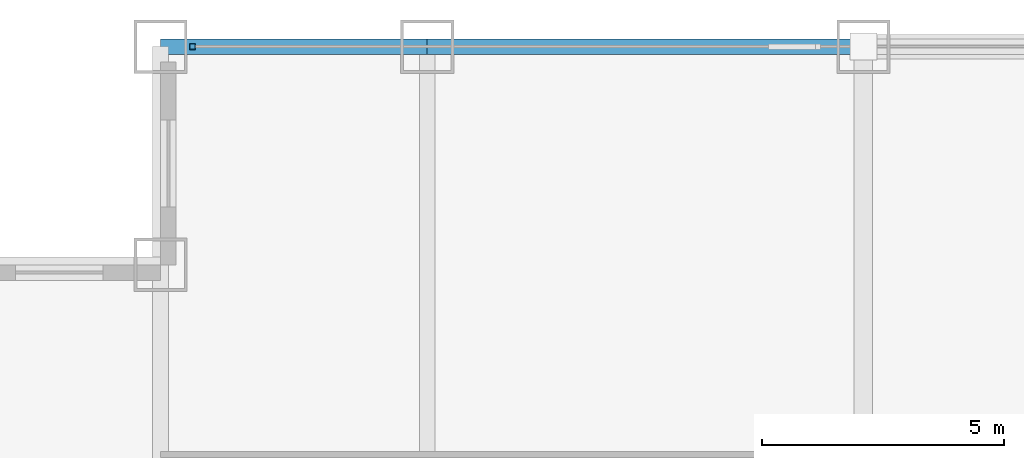
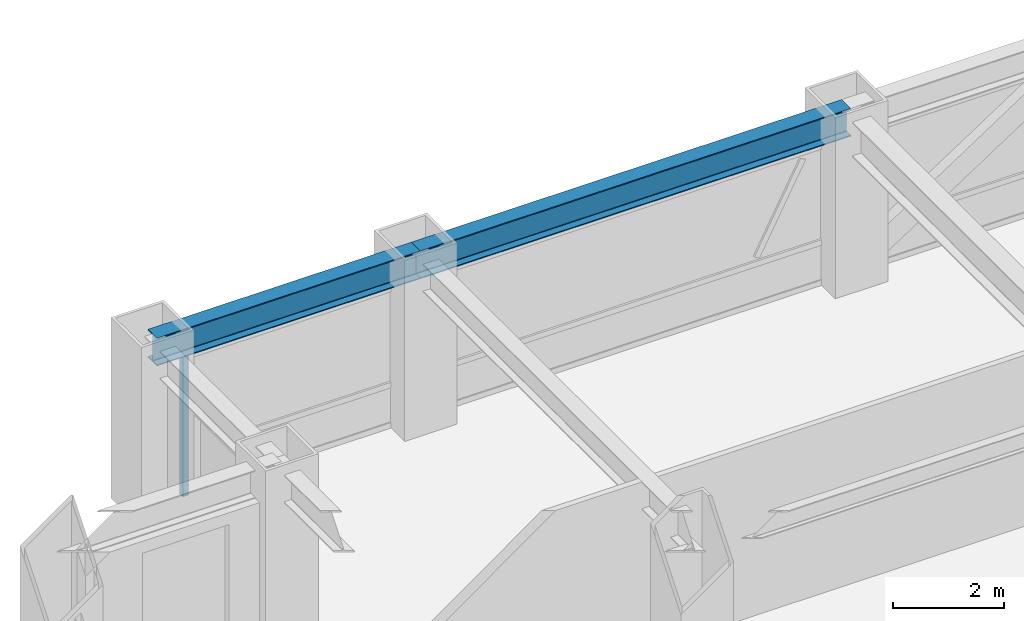
# One storey, part 14 of 25: 2 beams, 1 member, 1 element without a shape of its own.
"""IFC4 building model written with IfcOpenShell, lengths in metres."""

from ifc_helpers import new_model, si_unit, direction, frame, origin, origin_2d, place, context, subcontext, project, spatial, hollow_rectangle, i_section, extrude, source, transform, mapped, material, material_profile, profile_set, type_object, element, aggregate, save


model = new_model("IFC4")

# Units and contexts
model_context = context("Model", 3, precision=1e-05, world=origin(), true_north=direction((0.0, 1.0)))
body_context = subcontext(model_context, "Body", "Model", "MODEL_VIEW")
ifc_project = project(units=[si_unit("LENGTHUNIT", "METRE"), si_unit("AREAUNIT", "SQUARE_METRE"), si_unit("VOLUMEUNIT", "CUBIC_METRE"), si_unit("PLANEANGLEUNIT", "RADIAN"), si_unit("MASSUNIT", "GRAM", prefix="KILO")], contexts=[model_context])

# Site, building, storey
site_placement = place(None, origin())
site = spatial("IfcSite", under=ifc_project, at=site_placement, CompositionType="ELEMENT")
building_placement = place(site_placement, origin())
building = spatial("IfcBuilding", under=site, at=building_placement, Name="Khorayat Bourse Tower", CompositionType="ELEMENT")
storey_placement = place(building_placement, frame((0.0, 0.0, 199.10009765625)))
storey = spatial("IfcBuildingStorey", under=building, at=storey_placement, Name="L46", CompositionType="ELEMENT", Elevation=199.10009765625)

# Beams
ifc_material_1 = material(Name="Steel ASTM A992 Grade 50", Category="steel")
ifc_material_profile_1 = material_profile(ifc_material_1, i_section(OverallWidth=0.324951171875, OverallDepth=0.615966796875, WebThickness=0.013916015625, FlangeThickness=0.021484375, FilletRadius=0.01611328125, at=origin_2d()), Name="W610X174")
ifc_profile_set_1 = profile_set([ifc_material_profile_1], Name="Steel ASTM A992 Grade 50")
beam_type = type_object("IfcBeamType", Name="BM-SPAN-610", PredefinedType="SPANDREL", material=ifc_profile_set_1)
shared_shape_1 = source(origin(), body_context, "Body", "SweptSolid", [
    extrude(i_section(OverallWidth=0.324951171875, OverallDepth=0.615966796875, WebThickness=0.013916015625, FlangeThickness=0.021484375, FilletRadius=0.01611328125, at=origin_2d()), origin(), (0.0, 0.0, 1.0), 5.5),
])
beam_1_placement = place(storey_placement, frame((-25.5, 30.0, 3.471923828125), z_axis=(1.0, 0.0, 0.0), x_axis=(0.0, 1.0, 0.0)))
element("IfcBeam", 1, at=beam_1_placement, inside=storey, type_object=beam_type, Name="L46 BM-SPAN-610 BM-L46-SPN-051", PredefinedType="SPANDREL", context=body_context, shape_type="MappedRepresentation", body=[
    mapped(shared_shape_1, transform((0.0, 0.0, 0.0), scale=1.0)),
])
shared_shape_2 = source(origin(), body_context, "Body", "SweptSolid", [
    extrude(i_section(OverallWidth=0.324951171875, OverallDepth=0.615966796875, WebThickness=0.013916015625, FlangeThickness=0.021484375, FilletRadius=0.01611328125, at=origin_2d()), origin(), (0.0, 0.0, 1.0), 9.0),
])
beam_2_placement = place(storey_placement, frame((-20.0, 30.0, 3.471923828125), z_axis=(1.0, 0.0, 0.0), x_axis=(0.0, 1.0, 0.0)))
element("IfcBeam", 2, at=beam_2_placement, inside=storey, type_object=beam_type, Name="L46 BM-SPAN-610 BM-L46-SPN-050", PredefinedType="SPANDREL", context=body_context, shape_type="MappedRepresentation", body=[
    mapped(shared_shape_2, transform((0.0, 0.0, 0.0), scale=1.0)),
])

# Curtain wall, member
ifc_material_2 = material(Name="Aluminium EN AW-6063 T6", Category="aluminium")
curtain_wall_type = type_object("IfcCurtainWallType", Name="CW-SYS-03", PredefinedType="NOTDEFINED", material=ifc_material_2)
curtain_wall_placement = place(storey_placement, origin())
curtain_wall = element("IfcCurtainWall", 3, at=curtain_wall_placement, inside=storey, type_object=curtain_wall_type, Name="L46 Curtain Wall CW-L46-N1", PredefinedType="NOTDEFINED")
ifc_material_profile_2 = material_profile(ifc_material_2, hollow_rectangle(XDim=0.1201171875, YDim=0.1201171875, WallThickness=0.0048828125, at=origin_2d()), Name="ALU 120x120x5")
ifc_profile_set_2 = profile_set([ifc_material_profile_2], Name="Aluminium EN AW-6063 T6")
member_type = type_object("IfcMemberType", Name="CWM-VERT-120", PredefinedType="MULLION", material=ifc_profile_set_2)
shared_shape_3 = source(origin(), body_context, "Body", "SweptSolid", [
    extrude(hollow_rectangle(XDim=0.1201171875, YDim=0.1201171875, WallThickness=0.0048828125, at=origin_2d()), origin(), (0.0, 0.0, 1.0), 3.1298828125),
])
member_placement = place(storey_placement, frame((-24.840087890625, 30.0, 0.0), z_axis=(0.0, 0.0, 1.0), x_axis=(0.0, 1.0, 0.0)))
member = element("IfcMember", 4, at=member_placement, type_object=member_type, Name="CW-L46-N1 Vertical Mullion 1", PredefinedType="MULLION", context=body_context, shape_type="MappedRepresentation", body=[
    mapped(shared_shape_3, transform((0.0, 0.0, 0.0), scale=1.0)),
])
aggregate(curtain_wall, [member])

save(model, "model.ifc")
